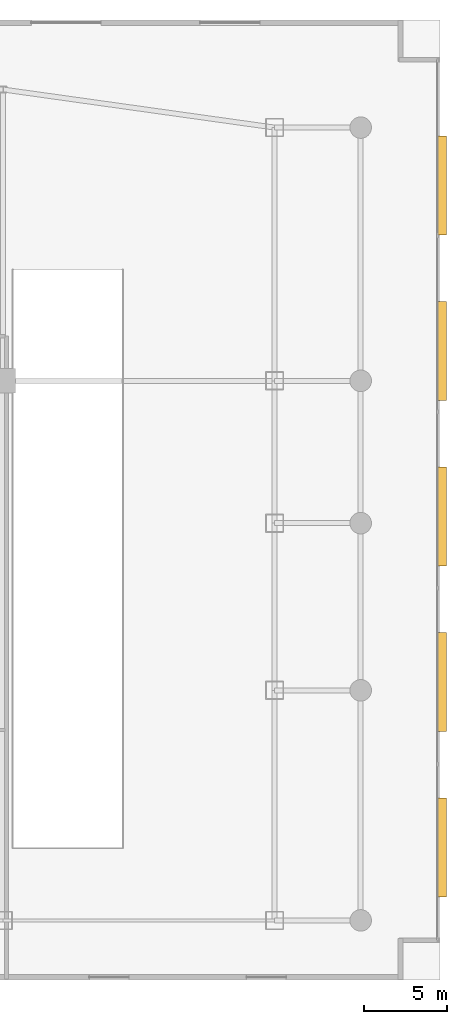
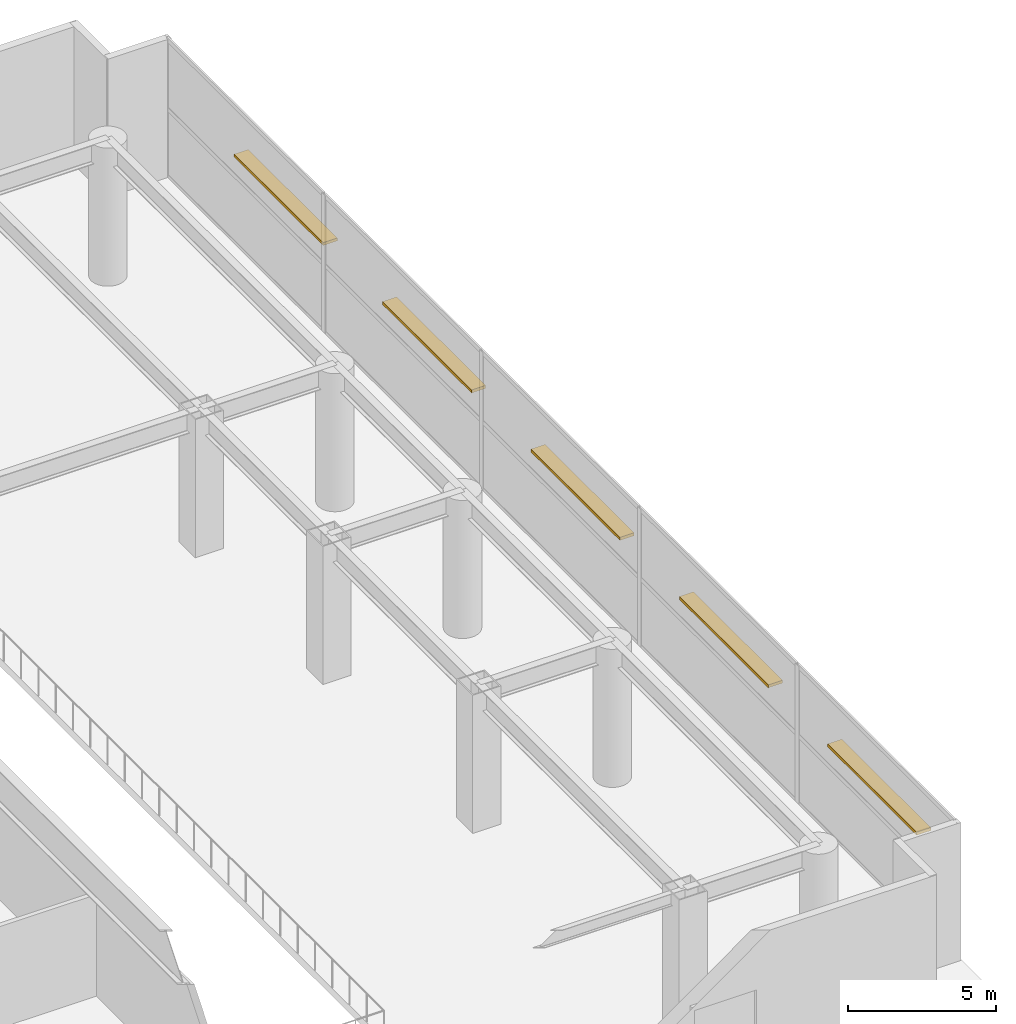
# One storey, part 19 of 20: 5 shading devices.
"""IFC4 building model written with IfcOpenShell, lengths in metres."""

from ifc_helpers import new_model, si_unit, direction, frame, origin, origin_2d, place, context, subcontext, project, spatial, rectangle, extrude, material, type_object, element, save


model = new_model("IFC4")

# Units and contexts
model_context = context("Model", 3, precision=1e-05, world=origin(), true_north=direction((0.0, 1.0)))
body_context = subcontext(model_context, "Body", "Model", "MODEL_VIEW")
ifc_project = project(units=[si_unit("LENGTHUNIT", "METRE"), si_unit("AREAUNIT", "SQUARE_METRE"), si_unit("VOLUMEUNIT", "CUBIC_METRE"), si_unit("PLANEANGLEUNIT", "RADIAN"), si_unit("MASSUNIT", "GRAM", prefix="KILO")], contexts=[model_context])

# Site, building, storey
site_placement = place(None, origin())
site = spatial("IfcSite", under=ifc_project, at=site_placement, CompositionType="ELEMENT")
building_placement = place(site_placement, origin())
building = spatial("IfcBuilding", under=site, at=building_placement, Name="Calvorn Quay Hotel", CompositionType="ELEMENT")
storey_placement = place(building_placement, origin())
storey = spatial("IfcBuildingStorey", under=building, at=storey_placement, Name="L00", CompositionType="ELEMENT", Elevation=0.0)

# Shading devices
ifc_material = material(Name="Pale Anodised Aluminium 6063-T6", Category="aluminium")
shading_device_type = type_object("IfcShadingDeviceType", Name="SHD-SUNSHADE-POD", PredefinedType="USERDEFINED", material=ifc_material)
for number, where, z_axis, x_axis, name in (
    (1, (84.10009765625, 8.0, 3.5400390625), (0.0, 0.0, 1.0), (1.0, 0.0, 0.0), "Promenade Sunshade Canopy SUN-01"),
    (2, (84.10009765625, 18.0, 3.5400390625), (0.0, 0.0, 1.0), (1.0, 0.0, 0.0), "Promenade Sunshade Canopy SUN-02"),
    (3, (84.10009765625, 28.0, 3.5400390625), (0.0, 0.0, 1.0), (1.0, 0.0, 0.0), "Promenade Sunshade Canopy SUN-03"),
    (4, (84.10009765625, 38.0, 3.5400390625), (0.0, 0.0, 1.0), (1.0, 0.0, 0.0), "Promenade Sunshade Canopy SUN-04"),
    (5, (84.10009765625, 48.0, 3.5400390625), (0.0, 0.0, 1.0), (1.0, 0.0, 0.0), "Promenade Sunshade Canopy SUN-05"),
):
    element("IfcShadingDevice", number, at=place(storey_placement, frame(where, z_axis=z_axis, x_axis=x_axis)), inside=storey, type_object=shading_device_type, Name=name, ObjectType="SUNSHADE", PredefinedType="USERDEFINED", context=body_context, shape_type="SweptSolid", body=[
        extrude(rectangle(XDim=0.550048828125, YDim=6.0, at=origin_2d()), origin(), (0.0, 0.0, 1.0), 0.1201171875),
    ])

save(model, "model.ifc")
